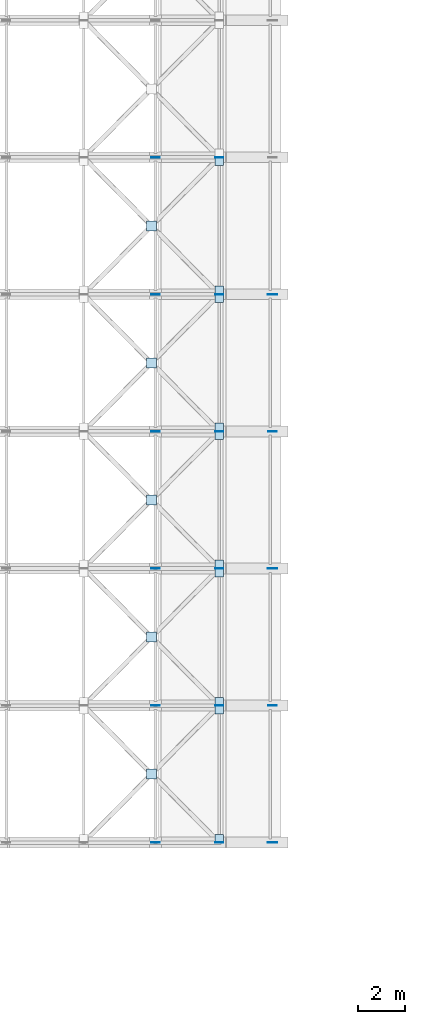
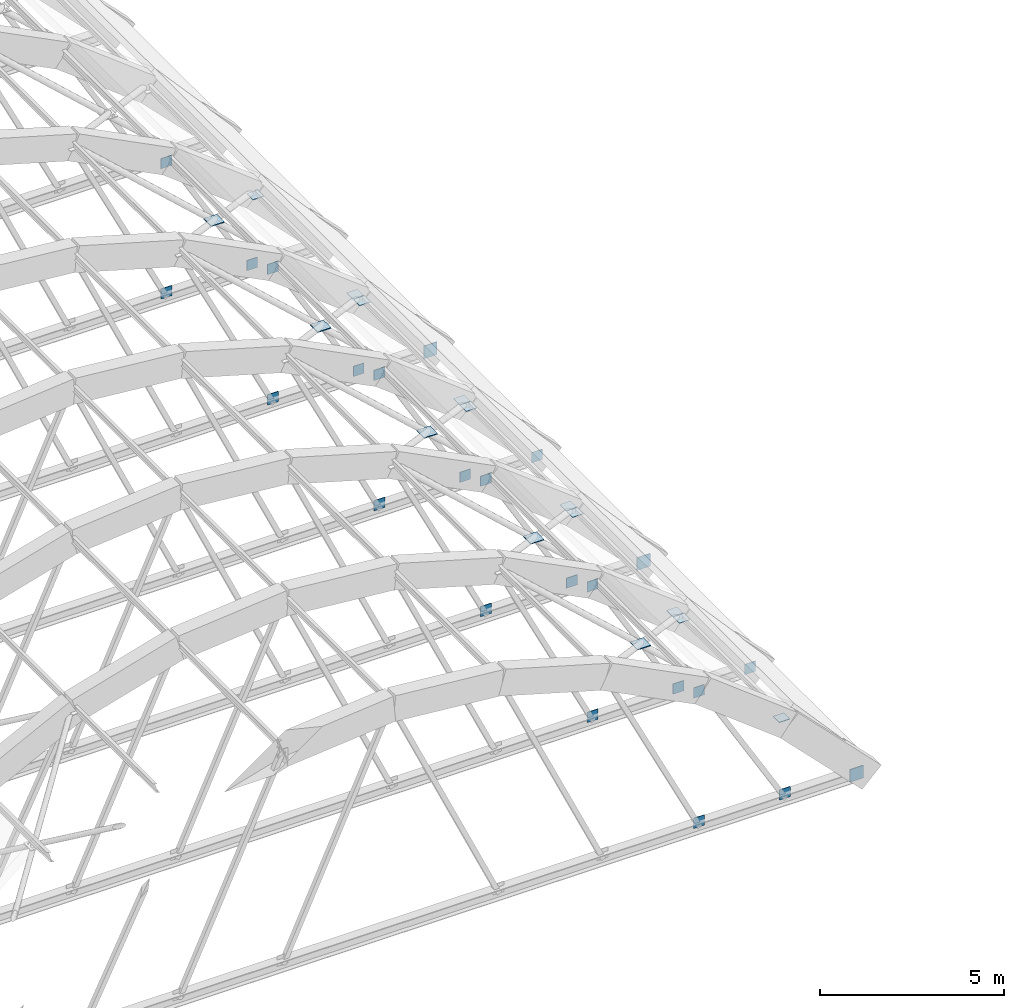
# One storey, part 36 of 81: 38 plates.
"""IFC4 building model written with IfcOpenShell, lengths in metres."""

from ifc_helpers import new_model, si_unit, direction, frame, origin, origin_2d, place, context, subcontext, project, spatial, rectangle, extrude, material, layer, layer_set, type_object, element, save


model = new_model("IFC4")

# Units and contexts
model_context = context("Model", 3, precision=1e-05, world=origin(), true_north=direction((0.0, 1.0)))
body_context = subcontext(model_context, "Body", "Model", "MODEL_VIEW")
ifc_project = project(units=[si_unit("LENGTHUNIT", "METRE"), si_unit("AREAUNIT", "SQUARE_METRE"), si_unit("VOLUMEUNIT", "CUBIC_METRE"), si_unit("PLANEANGLEUNIT", "RADIAN"), si_unit("MASSUNIT", "GRAM", prefix="KILO")], contexts=[model_context])

# Site, building, storey
site_placement = place(None, origin())
site = spatial("IfcSite", under=ifc_project, at=site_placement, CompositionType="ELEMENT")
building_placement = place(site_placement, origin())
building = spatial("IfcBuilding", under=site, at=building_placement, Name="Tanwirah Colonnade Gardens", CompositionType="ELEMENT")
storey_placement = place(building_placement, frame((0.0, 0.0, 8.840087890625)))
storey = spatial("IfcBuildingStorey", under=building, at=storey_placement, Name="L02", CompositionType="ELEMENT", Elevation=8.840087890625)

# Plates
ifc_material = material(Name="Steel S355", Category="steel")
ifc_layer_1 = layer(ifc_material, 0.02001953125)
ifc_layer_set_1 = layer_set([ifc_layer_1], Name="Steel S355")
plate_type_1 = type_object("IfcPlateType", Name="PLT-GUS20", PredefinedType="USERDEFINED", material=ifc_layer_set_1)
for number, where, z_axis, x_axis, name in (
    (1, (102.6982421875, 39.800048828125, -0.27001953125), (0.0, 0.0, 1.0), (1.0, 0.0, 0.0), "Vault Web Lower Node Gusset Plate 1.8"),
    (2, (105.395263671875, 39.800048828125, -0.27001953125), (0.0, 0.0, 1.0), (1.0, 0.0, 0.0), "Vault Web Lower Node Gusset Plate 1.9"),
    (3, (102.6982421875, 39.800048828125, 4.0615234375), (0.0, 0.0, 1.0), (1.0, 0.0, 0.0), "Vault Web Upper Node Gusset Plate 1.9"),
    (4, (102.6982421875, 45.60009765625, -0.27001953125), (0.0, 0.0, 1.0), (1.0, 0.0, 0.0), "Vault Web Lower Node Gusset Plate 2.8"),
    (5, (105.395263671875, 45.60009765625, -0.27001953125), (0.0, 0.0, 1.0), (1.0, 0.0, 0.0), "Vault Web Lower Node Gusset Plate 2.9"),
    (6, (102.6982421875, 45.60009765625, 4.0615234375), (0.0, 0.0, 1.0), (1.0, 0.0, 0.0), "Vault Web Upper Node Gusset Plate 2.9"),
    (7, (107.64990234375, 45.60009765625, -0.41015625), (0.0, 0.0, 1.0), (1.0, 0.0, 0.0), "Vault Arch Gusset Plate 2-E"),
    (8, (102.6982421875, 51.39990234375, -0.27001953125), (0.0, 0.0, 1.0), (1.0, 0.0, 0.0), "Vault Web Lower Node Gusset Plate 3.8"),
    (9, (105.395263671875, 51.39990234375, -0.27001953125), (0.0, 0.0, 1.0), (1.0, 0.0, 0.0), "Vault Web Lower Node Gusset Plate 3.9"),
    (10, (102.6982421875, 51.39990234375, 4.0615234375), (0.0, 0.0, 1.0), (1.0, 0.0, 0.0), "Vault Web Upper Node Gusset Plate 3.9"),
    (11, (102.6982421875, 57.199951171875, -0.27001953125), (0.0, 0.0, 1.0), (1.0, 0.0, 0.0), "Vault Web Lower Node Gusset Plate 4.8"),
    (12, (105.395263671875, 57.199951171875, -0.27001953125), (0.0, 0.0, 1.0), (1.0, 0.0, 0.0), "Vault Web Lower Node Gusset Plate 4.9"),
    (13, (102.6982421875, 57.199951171875, 4.0615234375), (0.0, 0.0, 1.0), (1.0, 0.0, 0.0), "Vault Web Upper Node Gusset Plate 4.9"),
    (14, (107.64990234375, 57.199951171875, -0.41015625), (0.0, 0.0, 1.0), (1.0, 0.0, 0.0), "Vault Arch Gusset Plate 4-E"),
    (15, (102.6982421875, 63.0, -0.27001953125), (0.0, 0.0, 1.0), (1.0, 0.0, 0.0), "Vault Web Lower Node Gusset Plate 5.8"),
    (16, (105.395263671875, 63.0, -0.27001953125), (0.0, 0.0, 1.0), (1.0, 0.0, 0.0), "Vault Web Lower Node Gusset Plate 5.9"),
    (17, (102.6982421875, 63.0, 4.0615234375), (0.0, 0.0, 1.0), (1.0, 0.0, 0.0), "Vault Web Upper Node Gusset Plate 5.9"),
    (18, (102.6982421875, 68.800048828125, -0.27001953125), (0.0, 0.0, 1.0), (1.0, 0.0, 0.0), "Vault Web Lower Node Gusset Plate 6.8"),
    (19, (105.395263671875, 68.800048828125, -0.27001953125), (0.0, 0.0, 1.0), (1.0, 0.0, 0.0), "Vault Web Lower Node Gusset Plate 6.9"),
    (20, (102.6982421875, 68.800048828125, 4.0615234375), (0.0, 0.0, 1.0), (1.0, 0.0, 0.0), "Vault Web Upper Node Gusset Plate 6.9"),
):
    element("IfcPlate", number, at=place(storey_placement, frame(where, z_axis=z_axis, x_axis=x_axis)), inside=storey, type_object=plate_type_1, Name=name, ObjectType="GUSSET_PLATE", PredefinedType="USERDEFINED", context=body_context, shape_type="SweptSolid", body=[
        extrude(rectangle(XDim=0.340087890625, YDim=0.02001953125, at=origin_2d()), origin(), (0.0, 0.0, 1.0), 0.340087890625),
    ])
for number, where, z_axis, x_axis, name in (
    (21, (105.395263671875, 45.419921875, 2.283447265625), (0.0, 0.0, 1.0), (1.0, 0.0, 0.0), "Vault Brace End Gusset Plate 1.3B"),
    (22, (105.395263671875, 39.97998046875, 2.283447265625), (0.0, 0.0, 1.0), (1.0, 0.0, 0.0), "Vault Brace End Gusset Plate 1.4A"),
    (23, (105.395263671875, 51.219970703125, 2.283447265625), (0.0, 0.0, 1.0), (1.0, 0.0, 0.0), "Vault Brace End Gusset Plate 2.3B"),
    (24, (105.395263671875, 45.780029296875, 2.283447265625), (0.0, 0.0, 1.0), (1.0, 0.0, 0.0), "Vault Brace End Gusset Plate 2.4A"),
    (25, (105.395263671875, 57.02001953125, 2.283447265625), (0.0, 0.0, 1.0), (1.0, 0.0, 0.0), "Vault Brace End Gusset Plate 3.3B"),
    (26, (105.395263671875, 51.580078125, 2.283447265625), (0.0, 0.0, 1.0), (1.0, 0.0, 0.0), "Vault Brace End Gusset Plate 3.4A"),
    (27, (105.395263671875, 62.820068359375, 2.283447265625), (0.0, 0.0, 1.0), (1.0, 0.0, 0.0), "Vault Brace End Gusset Plate 4.3B"),
    (28, (105.395263671875, 57.3798828125, 2.283447265625), (0.0, 0.0, 1.0), (1.0, 0.0, 0.0), "Vault Brace End Gusset Plate 4.4A"),
    (29, (105.395263671875, 68.6201171875, 2.283447265625), (0.0, 0.0, 1.0), (1.0, 0.0, 0.0), "Vault Brace End Gusset Plate 5.3B"),
    (30, (105.395263671875, 63.179931640625, 2.283447265625), (0.0, 0.0, 1.0), (1.0, 0.0, 0.0), "Vault Brace End Gusset Plate 5.4A"),
):
    element("IfcPlate", number, at=place(storey_placement, frame(where, z_axis=z_axis, x_axis=x_axis)), inside=storey, type_object=plate_type_1, Name=name, ObjectType="GUSSET_PLATE", PredefinedType="USERDEFINED", context=body_context, shape_type="SweptSolid", body=[
        extrude(rectangle(XDim=0.340087890625, YDim=0.340087890625, at=origin_2d()), origin(), (0.0, 0.0, 1.0), 0.02001953125),
    ])
ifc_layer_2 = layer(ifc_material, 0.02490234375)
ifc_layer_set_2 = layer_set([ifc_layer_2], Name="Steel S355")
plate_type_2 = type_object("IfcPlateType", Name="PLT-GUS25", PredefinedType="USERDEFINED", material=ifc_layer_set_2)
for number, where, z_axis, x_axis, name in (
    (31, (107.64990234375, 39.800048828125, -0.449951171875), (0.0, 0.0, 1.0), (1.0, 0.0, 0.0), "Vault Arch Gusset Plate 1-E"),
    (32, (107.64990234375, 51.39990234375, -0.449951171875), (0.0, 0.0, 1.0), (1.0, 0.0, 0.0), "Vault Arch Gusset Plate 3-E"),
    (33, (107.64990234375, 63.0, -0.449951171875), (0.0, 0.0, 1.0), (1.0, 0.0, 0.0), "Vault Arch Gusset Plate 5-E"),
):
    element("IfcPlate", number, at=place(storey_placement, frame(where, z_axis=z_axis, x_axis=x_axis)), inside=storey, type_object=plate_type_2, Name=name, ObjectType="GUSSET_PLATE", PredefinedType="USERDEFINED", context=body_context, shape_type="SweptSolid", body=[
        extrude(rectangle(XDim=0.419921875, YDim=0.02490234375, at=origin_2d()), origin(), (0.0, 0.0, 1.0), 0.419921875),
    ])
for number, where, z_axis, x_axis, name in (
    (34, (102.528076171875, 42.699951171875, 4.089599609375), (0.0, 0.0, 1.0), (1.0, 0.0, 0.0), "Vault X-Brace Crossing Gusset Plate 1-E"),
    (35, (102.528076171875, 48.5, 4.089599609375), (0.0, 0.0, 1.0), (1.0, 0.0, 0.0), "Vault X-Brace Crossing Gusset Plate 2-E"),
    (36, (102.528076171875, 54.300048828125, 4.089599609375), (0.0, 0.0, 1.0), (1.0, 0.0, 0.0), "Vault X-Brace Crossing Gusset Plate 3-E"),
    (37, (102.528076171875, 60.10009765625, 4.089599609375), (0.0, 0.0, 1.0), (1.0, 0.0, 0.0), "Vault X-Brace Crossing Gusset Plate 4-E"),
    (38, (102.528076171875, 65.89990234375, 4.089599609375), (0.0, 0.0, 1.0), (1.0, 0.0, 0.0), "Vault X-Brace Crossing Gusset Plate 5-E"),
):
    element("IfcPlate", number, at=place(storey_placement, frame(where, z_axis=z_axis, x_axis=x_axis)), inside=storey, type_object=plate_type_2, Name=name, ObjectType="GUSSET_PLATE", PredefinedType="USERDEFINED", context=body_context, shape_type="SweptSolid", body=[
        extrude(rectangle(XDim=0.419921875, YDim=0.419921875, at=origin_2d()), origin(), (0.0, 0.0, 1.0), 0.02490234375),
    ])

save(model, "model.ifc")
